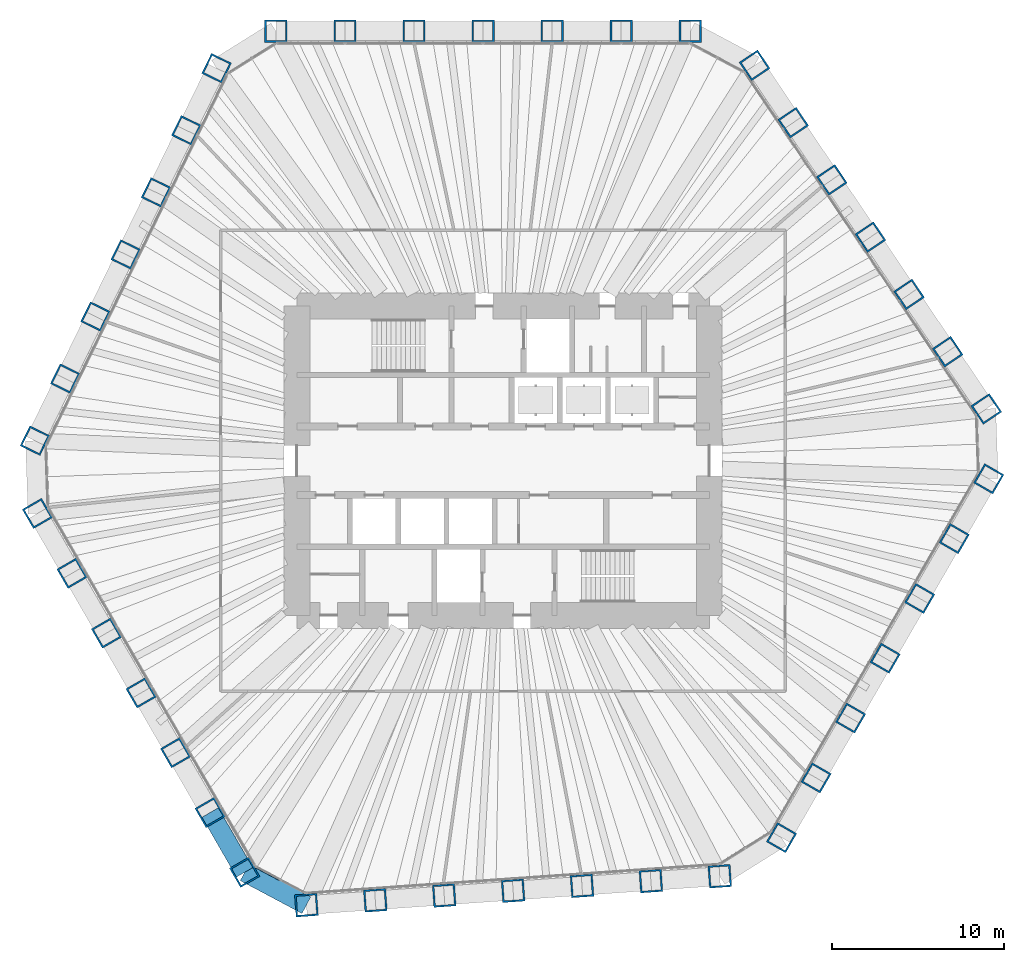
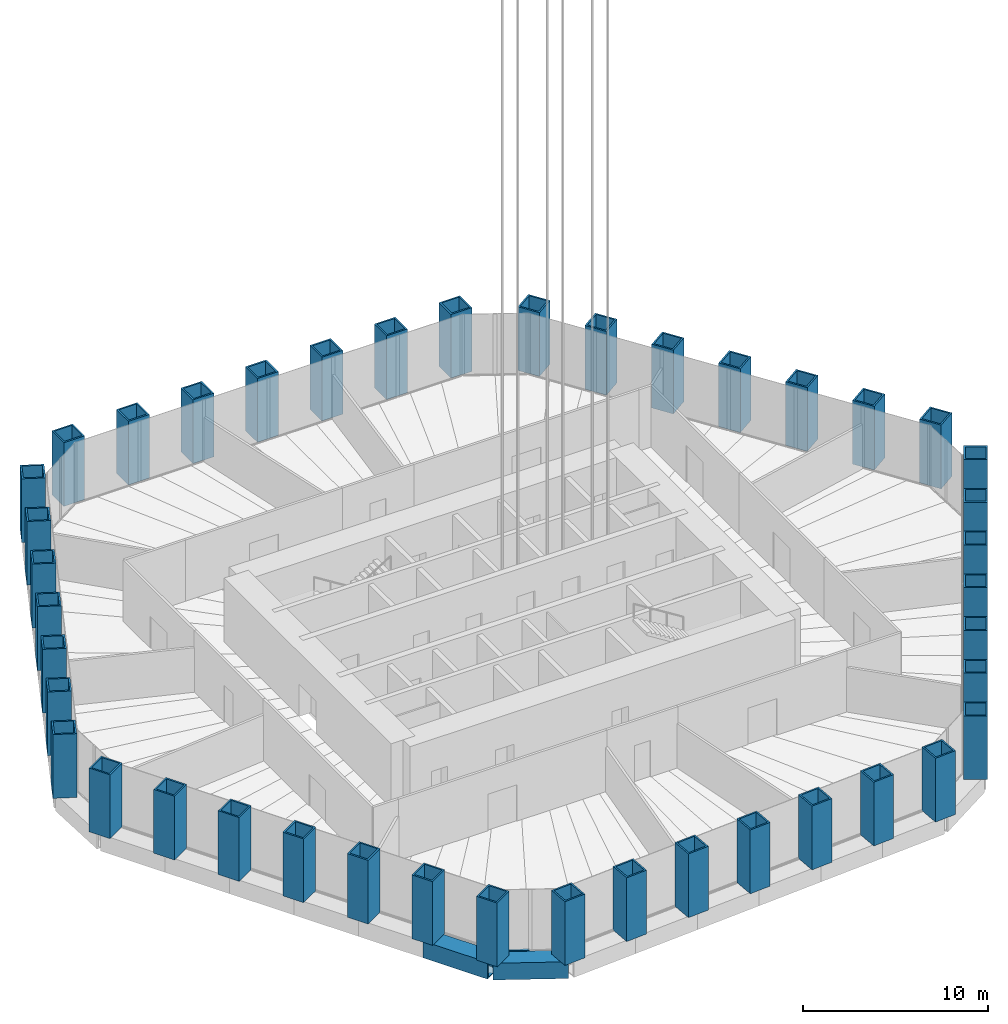
# One storey, part 1 of 20: 42 columns, 3 members, 1 element without a shape of its own.
"""IFC4 building model written with IfcOpenShell, lengths in metres."""

from ifc_helpers import new_model, si_unit, direction, frame, origin, origin_2d, place, context, subcontext, project, spatial, rectangle, hollow_rectangle, extrude, material, material_profile, profile_set, type_object, element, aggregate, save


model = new_model("IFC4")

# Units and contexts
model_context = context("Model", 3, precision=1e-05, world=origin(), true_north=direction((0.0, 1.0)))
body_context = subcontext(model_context, "Body", "Model", "MODEL_VIEW")
ifc_project = project(units=[si_unit("LENGTHUNIT", "METRE"), si_unit("AREAUNIT", "SQUARE_METRE"), si_unit("VOLUMEUNIT", "CUBIC_METRE"), si_unit("PLANEANGLEUNIT", "RADIAN"), si_unit("MASSUNIT", "GRAM", prefix="KILO")], contexts=[model_context])

# Site, building, storey
site_placement = place(None, origin())
site = spatial("IfcSite", under=ifc_project, at=site_placement, CompositionType="ELEMENT")
building_placement = place(site_placement, origin())
building = spatial("IfcBuilding", under=site, at=building_placement, Name="Qingtian Harvest Tower", CompositionType="ELEMENT")
storey_placement = place(building_placement, frame((0.0, 0.0, 103.0)))
storey = spatial("IfcBuildingStorey", under=building, at=storey_placement, Name="L20", CompositionType="ELEMENT", Elevation=103.0)

# Columns
ifc_material_1 = material(Name="Steel SM570MC", Category="steel")
ifc_material_profile_1 = material_profile(ifc_material_1, hollow_rectangle(XDim=1.300048828125, YDim=1.300048828125, WallThickness=0.10009765625, at=origin_2d()), Name="BOX1300x1300x100")
ifc_profile_set_1 = profile_set([ifc_material_profile_1], Name="Steel SM570MC")
column_type = type_object("IfcColumnType", Name="Transition tube column TK1 BOX1300x1300x100", PredefinedType="COLUMN", material=ifc_profile_set_1)
for number, where, z_axis, x_axis, name in (
    (1, (-13.2216796875, 25.0, 0.0), (0.0, 0.0, 1.0), (-1.0, 0.0, 0.0), "Tube column TK1 N0"),
    (2, (-9.20263671875, 25.0, 0.0), (0.0, 0.0, 1.0), (-1.0, 0.0, 0.0), "Tube column TK1 N1"),
    (3, (-5.18359375, 25.0, 0.0), (0.0, 0.0, 1.0), (-1.0, 0.0, 0.0), "Tube column TK1 N2"),
    (4, (-1.16455078125, 25.0, 0.0), (0.0, 0.0, 1.0), (-1.0, 0.0, 0.0), "Tube column TK1 N3"),
    (5, (2.8544921875, 25.0, 0.0), (0.0, 0.0, 1.0), (-1.0, 0.0, 0.0), "Tube column TK1 N4"),
    (6, (6.873779296875, 25.0, 0.0), (0.0, 0.0, 1.0), (-1.0, 0.0, 0.0), "Tube column TK1 N5"),
    (7, (10.892822265625, 25.0, 0.0), (0.0, 0.0, 1.0), (-1.0, 0.0, 0.0), "Tube column TK1 N6"),
    (8, (14.634765625, 23.01025390625, 0.0), (0.0, 0.0, 1.0), (-0.559192903471, 0.829037572555, 0.0), "Tube column TK1 NE0"),
    (9, (16.88232421875, 19.67822265625, 0.0), (0.0, 0.0, 1.0), (-0.559192903471, 0.829037572555, 0.0), "Tube column TK1 NE1"),
    (10, (19.129638671875, 16.346435546875, 0.0), (0.0, 0.0, 1.0), (-0.559192903471, 0.829037572555, 0.0), "Tube column TK1 NE2"),
    (11, (21.377197265625, 13.014404296875, 0.0), (0.0, 0.0, 1.0), (-0.559192903471, 0.829037572555, 0.0), "Tube column TK1 NE3"),
    (12, (23.62451171875, 9.682373046875, 0.0), (0.0, 0.0, 1.0), (-0.559192903471, 0.829037572555, 0.0), "Tube column TK1 NE4"),
    (13, (25.8720703125, 6.3505859375, 0.0), (0.0, 0.0, 1.0), (-0.559192903471, 0.829037572555, 0.0), "Tube column TK1 NE5"),
    (14, (28.119384765625, 3.0185546875, 0.0), (0.0, 0.0, 1.0), (-0.559192903471, 0.829037572555, 0.0), "Tube column TK1 NE6"),
    (15, (28.261474609375, -1.049560546875, 0.0), (0.0, 0.0, 1.0), (0.5, 0.866025403784, 0.0), "Tube column TK1 SE0"),
    (16, (26.251953125, -4.5302734375, 0.0), (0.0, 0.0, 1.0), (0.5, 0.866025403784, 0.0), "Tube column TK1 SE1"),
    (17, (24.242431640625, -8.010986328125, 0.0), (0.0, 0.0, 1.0), (0.5, 0.866025403784, 0.0), "Tube column TK1 SE2"),
    (18, (22.23291015625, -11.491455078125, 0.0), (0.0, 0.0, 1.0), (0.5, 0.866025403784, 0.0), "Tube column TK1 SE3"),
    (19, (20.223388671875, -14.97216796875, 0.0), (0.0, 0.0, 1.0), (0.5, 0.866025403784, 0.0), "Tube column TK1 SE4"),
    (20, (18.2138671875, -18.452880859375, 0.0), (0.0, 0.0, 1.0), (0.5, 0.866025403784, 0.0), "Tube column TK1 SE5"),
    (21, (16.204345703125, -21.933349609375, 0.0), (0.0, 0.0, 1.0), (0.5, 0.866025403784, 0.0), "Tube column TK1 SE6"),
    (22, (12.610107421875, -24.17919921875, 0.0), (0.0, 0.0, 1.0), (0.99756405026, 0.069756473744, 0.0), "Tube column TK1 S0"),
    (23, (8.600830078125, -24.459716796875, 0.0), (0.0, 0.0, 1.0), (0.99756405026, 0.069756473744, 0.0), "Tube column TK1 S1"),
    (24, (4.591552734375, -24.739990234375, 0.0), (0.0, 0.0, 1.0), (0.99756405026, 0.069756473744, 0.0), "Tube column TK1 S2"),
    (25, (0.582275390625, -25.020263671875, 0.0), (0.0, 0.0, 1.0), (0.99756405026, 0.069756473744, 0.0), "Tube column TK1 S3"),
    (26, (-3.427001953125, -25.30078125, 0.0), (0.0, 0.0, 1.0), (0.99756405026, 0.069756473744, 0.0), "Tube column TK1 S4"),
    (27, (-7.436279296875, -25.5810546875, 0.0), (0.0, 0.0, 1.0), (0.99756405026, 0.069756473744, 0.0), "Tube column TK1 S5"),
    (28, (-11.445556640625, -25.861328125, 0.0), (0.0, 0.0, 1.0), (0.99756405026, 0.069756473744, 0.0), "Tube column TK1 S6"),
    (29, (-15.039794921875, -23.950439453125, 0.0), (0.0, 0.0, 1.0), (0.5, -0.866025403784, 0.0), "Tube column TK1 SW0"),
    (30, (-17.04931640625, -20.4697265625, 0.0), (0.0, 0.0, 1.0), (0.5, -0.866025403784, 0.0), "Tube column TK1 SW1"),
    (31, (-19.058837890625, -16.989013671875, 0.0), (0.0, 0.0, 1.0), (0.5, -0.866025403784, 0.0), "Tube column TK1 SW2"),
    (32, (-21.068359375, -13.508544921875, 0.0), (0.0, 0.0, 1.0), (0.5, -0.866025403784, 0.0), "Tube column TK1 SW3"),
    (33, (-23.077880859375, -10.02783203125, 0.0), (0.0, 0.0, 1.0), (0.5, -0.866025403784, 0.0), "Tube column TK1 SW4"),
    (34, (-25.08740234375, -6.547119140625, 0.0), (0.0, 0.0, 1.0), (0.5, -0.866025403784, 0.0), "Tube column TK1 SW5"),
    (35, (-27.096923828125, -3.066650390625, 0.0), (0.0, 0.0, 1.0), (0.5, -0.866025403784, 0.0), "Tube column TK1 SW6"),
    (36, (-27.244873046875, 1.1689453125, 0.0), (0.0, 0.0, 1.0), (-0.438371146789, -0.898794046299, 0.0), "Tube column TK1 NW0"),
    (37, (-25.483154296875, 4.78125, 0.0), (0.0, 0.0, 1.0), (-0.438371146789, -0.898794046299, 0.0), "Tube column TK1 NW1"),
    (38, (-23.72119140625, 8.3935546875, 0.0), (0.0, 0.0, 1.0), (-0.438371146789, -0.898794046299, 0.0), "Tube column TK1 NW2"),
    (39, (-21.95947265625, 12.005859375, 0.0), (0.0, 0.0, 1.0), (-0.438371146789, -0.898794046299, 0.0), "Tube column TK1 NW3"),
    (40, (-20.197509765625, 15.6181640625, 0.0), (0.0, 0.0, 1.0), (-0.438371146789, -0.898794046299, 0.0), "Tube column TK1 NW4"),
    (41, (-18.435791015625, 19.23046875, 0.0), (0.0, 0.0, 1.0), (-0.438371146789, -0.898794046299, 0.0), "Tube column TK1 NW5"),
    (42, (-16.673828125, 22.8427734375, 0.0), (0.0, 0.0, 1.0), (-0.438371146789, -0.898794046299, 0.0), "Tube column TK1 NW6"),
):
    element("IfcColumn", number, at=place(storey_placement, frame(where, z_axis=z_axis, x_axis=x_axis)), inside=storey, type_object=column_type, Name=name, PredefinedType="COLUMN", context=body_context, shape_type="SweptSolid", body=[
        extrude(hollow_rectangle(XDim=1.300048828125, YDim=1.300048828125, WallThickness=0.10009765625, at=origin_2d()), origin(), (0.0, 0.0, 1.0), 4.199951171875),
    ])

# Members
ifc_material_2 = material(Name="Steel SM570MC", Category="steel")
ifc_material_profile_2 = material_profile(ifc_material_2, hollow_rectangle(XDim=1.10009765625, YDim=1.10009765625, WallThickness=0.080078125, at=origin_2d()), Name="BOX1100x1100x80")
ifc_profile_set_2 = profile_set([ifc_material_profile_2], Name="Steel SM570MC")
member_type_1 = type_object("IfcMemberType", Name="Belt truss chord BC1 BOX1100x1100x80", PredefinedType="CHORD", material=ifc_profile_set_2)
member_1_placement = place(storey_placement, frame((-11.445556640625, -25.861328125, -0.550048828125), z_axis=(-0.882968133669, 0.469432929101, 0.0), x_axis=(-0.469432929101, -0.882968133669, 0.0)))
element("IfcMember", 43, at=member_1_placement, inside=storey, type_object=member_type_1, Name="Belt chord BC1 SC", PredefinedType="CHORD", context=body_context, shape_type="SweptSolid", body=[
    extrude(hollow_rectangle(XDim=1.10009765625, YDim=1.10009765625, WallThickness=0.080078125, at=origin_2d()), origin(), (0.0, 0.0, 1.0), 4.070556640625),
])
member_2_placement = place(storey_placement, frame((-15.039794921875, -23.950439453125, -0.550048828125), z_axis=(-0.499987116613, 0.866032841884, 0.0), x_axis=(-0.866032841884, -0.499987116613, 0.0)))
element("IfcMember", 44, at=member_2_placement, inside=storey, type_object=member_type_1, Name="Belt chord BC1 SW0", PredefinedType="CHORD", context=body_context, shape_type="SweptSolid", body=[
    extrude(hollow_rectangle(XDim=1.10009765625, YDim=1.10009765625, WallThickness=0.080078125, at=origin_2d()), origin(), (0.0, 0.0, 1.0), 4.01904296875),
])

# Curtain wall, member
ifc_material_3 = material(Name="Bronze-anodised aluminium curtain wall", Category="aluminium")
curtain_wall_type = type_object("IfcCurtainWallType", Name="Curtain wall CW3 sky lobby", PredefinedType="USERDEFINED", material=ifc_material_3)
curtain_wall_placement = place(storey_placement, origin())
curtain_wall = element("IfcCurtainWall", 45, at=curtain_wall_placement, inside=storey, type_object=curtain_wall_type, Name="Curtain wall CW3 L20 SC", ObjectType="RECESSED CURTAIN WALL", PredefinedType="USERDEFINED")
ifc_material_4 = material(Name="Bronze-anodised aluminium transom", Category="aluminium")
ifc_material_profile_3 = material_profile(ifc_material_4, rectangle(XDim=0.14990234375, YDim=0.06494140625, at=origin_2d()), Name="AL 65x150")
ifc_profile_set_3 = profile_set([ifc_material_profile_3], Name="Bronze-anodised aluminium transom")
member_type_2 = type_object("IfcMemberType", Name="Transom CWT 65x150", PredefinedType="USERDEFINED", material=ifc_profile_set_3)
member_3_placement = place(storey_placement, frame((-12.99267578125, -24.366455078125, 0.032470703125), z_axis=(-0.882960338349, 0.46944759122, 0.0), x_axis=(-0.46944759122, -0.882960338349, 0.0)))
member_3 = element("IfcMember", 46, at=member_3_placement, type_object=member_type_2, Name="CW3 transom 2.1", ObjectType="TRANSOM", PredefinedType="USERDEFINED", context=body_context, shape_type="SweptSolid", body=[
    extrude(rectangle(XDim=0.14990234375, YDim=0.06494140625, at=origin_2d()), origin(), (0.0, 0.0, 1.0), 1.56689453125),
])
aggregate(curtain_wall, [member_3])

save(model, "model.ifc")
